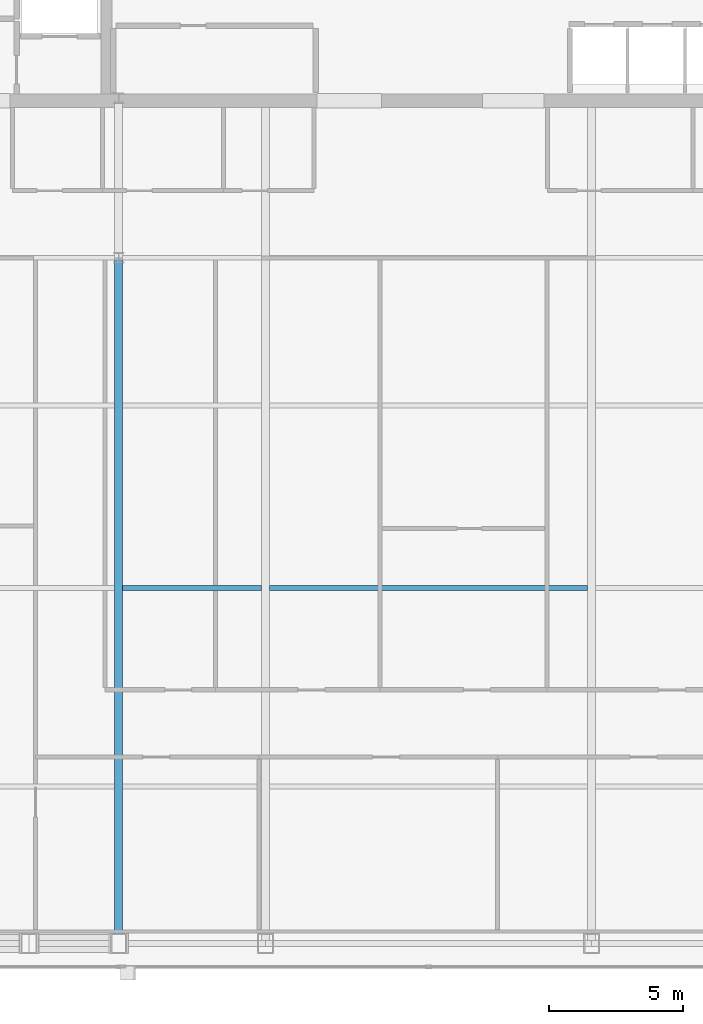
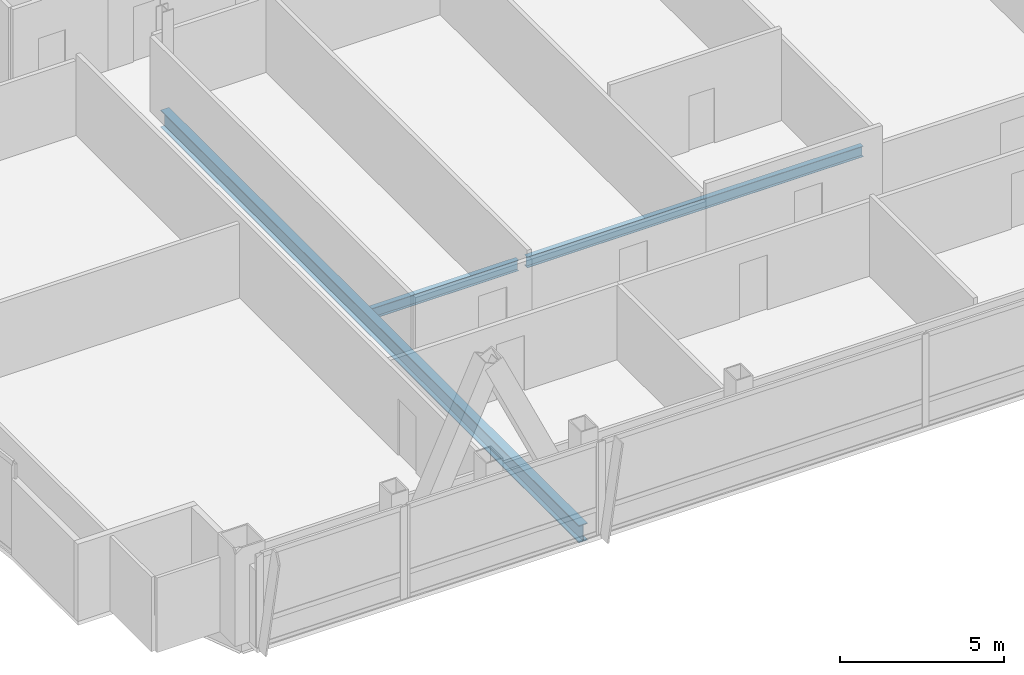
# One storey, part 9 of 30: 3 beams.
"""IFC4 building model written with IfcOpenShell, lengths in metres."""

from ifc_helpers import new_model, si_unit, direction, frame, origin, origin_2d, place, context, subcontext, project, spatial, i_section, extrude, material, material_profile, profile_set, type_object, element, save


model = new_model("IFC4")

# Units and contexts
model_context = context("Model", 3, precision=1e-05, world=origin(), true_north=direction((0.0, 1.0)))
body_context = subcontext(model_context, "Body", "Model", "MODEL_VIEW")
ifc_project = project(units=[si_unit("LENGTHUNIT", "METRE"), si_unit("AREAUNIT", "SQUARE_METRE"), si_unit("VOLUMEUNIT", "CUBIC_METRE"), si_unit("PLANEANGLEUNIT", "RADIAN"), si_unit("MASSUNIT", "GRAM", prefix="KILO")], contexts=[model_context])

# Site, building, storey
site_placement = place(None, origin())
site = spatial("IfcSite", under=ifc_project, at=site_placement, CompositionType="ELEMENT")
building_placement = place(site_placement, origin())
building = spatial("IfcBuilding", under=site, at=building_placement, Name="Khoronbel Lancet Exchange", CompositionType="ELEMENT")
storey_placement = place(building_placement, frame((0.0, 0.0, 284.199951171875)))
storey = spatial("IfcBuildingStorey", under=building, at=storey_placement, Name="L73", CompositionType="ELEMENT", Elevation=284.199951171875)

# Beams
ifc_material = material(Name="Steel S355", Category="steel")
ifc_material_profile_1 = material_profile(ifc_material, i_section(OverallWidth=0.300048828125, OverallDepth=0.64990234375, WebThickness=0.01611328125, FlangeThickness=0.031005859375, at=origin_2d()), Name="HEB 650")
ifc_profile_set_1 = profile_set([ifc_material_profile_1], Name="Steel S355")
beam_type_1 = type_object("IfcBeamType", Name="BM-BG4", PredefinedType="BEAM", material=ifc_profile_set_1)
beam_1_placement = place(storey_placement, frame((24.89990234375, 10.14990234375, -0.48486328125), z_axis=(0.0, 1.0, 0.0), x_axis=(-1.0, 0.0, 0.0)))
element("IfcBeam", 1, at=beam_1_placement, inside=storey, type_object=beam_type_1, Name="Level L73 south primary girder GS2", PredefinedType="BEAM", context=body_context, shape_type="SweptSolid", body=[
    extrude(i_section(OverallWidth=0.300048828125, OverallDepth=0.64990234375, WebThickness=0.01611328125, FlangeThickness=0.031005859375, at=origin_2d()), origin(), (0.0, 0.0, 1.0), 25.550048828125),
])
ifc_material_profile_2 = material_profile(ifc_material, i_section(OverallWidth=0.179931640625, OverallDepth=0.39990234375, WebThickness=0.008544921875, FlangeThickness=0.013427734375, at=origin_2d()), Name="IPE 400")
ifc_profile_set_2 = profile_set([ifc_material_profile_2], Name="Steel S355")
beam_type_2 = type_object("IfcBeamType", Name="BM-BJ5", PredefinedType="JOIST", material=ifc_profile_set_2)
beam_2_placement = place(storey_placement, frame((25.050048828125, 23.39990234375, -0.35986328125), z_axis=(1.0, 0.0, 0.0), x_axis=(0.0, 1.0, 0.0)))
element("IfcBeam", 2, at=beam_2_placement, inside=storey, type_object=beam_type_2, Name="Level L73 secondary composite joist J07", PredefinedType="JOIST", context=body_context, shape_type="SweptSolid", body=[
    extrude(i_section(OverallWidth=0.179931640625, OverallDepth=0.39990234375, WebThickness=0.008544921875, FlangeThickness=0.013427734375, at=origin_2d()), origin(), (0.0, 0.0, 1.0), 5.175048828125),
])
beam_3_placement = place(storey_placement, frame((30.52490234375, 23.39990234375, -0.35986328125), z_axis=(1.0, 0.0, 0.0), x_axis=(0.0, 1.0, 0.0)))
element("IfcBeam", 3, at=beam_3_placement, inside=storey, type_object=beam_type_2, Name="Level L73 secondary composite joist J08", PredefinedType="JOIST", context=body_context, shape_type="SweptSolid", body=[
    extrude(i_section(OverallWidth=0.179931640625, OverallDepth=0.39990234375, WebThickness=0.008544921875, FlangeThickness=0.013427734375, at=origin_2d()), origin(), (0.0, 0.0, 1.0), 11.85009765625),
])

save(model, "model.ifc")
